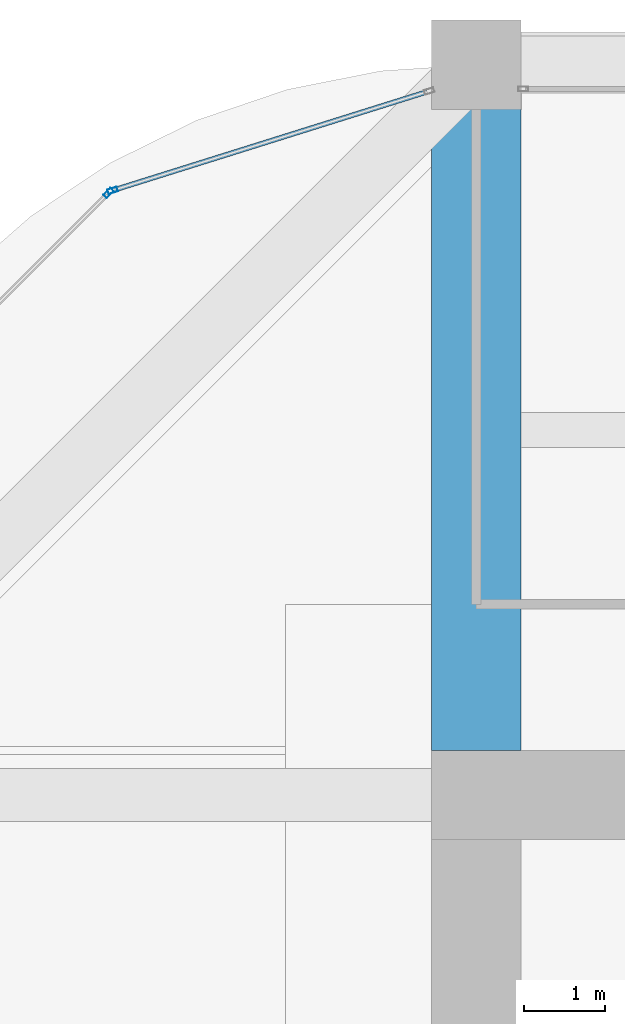
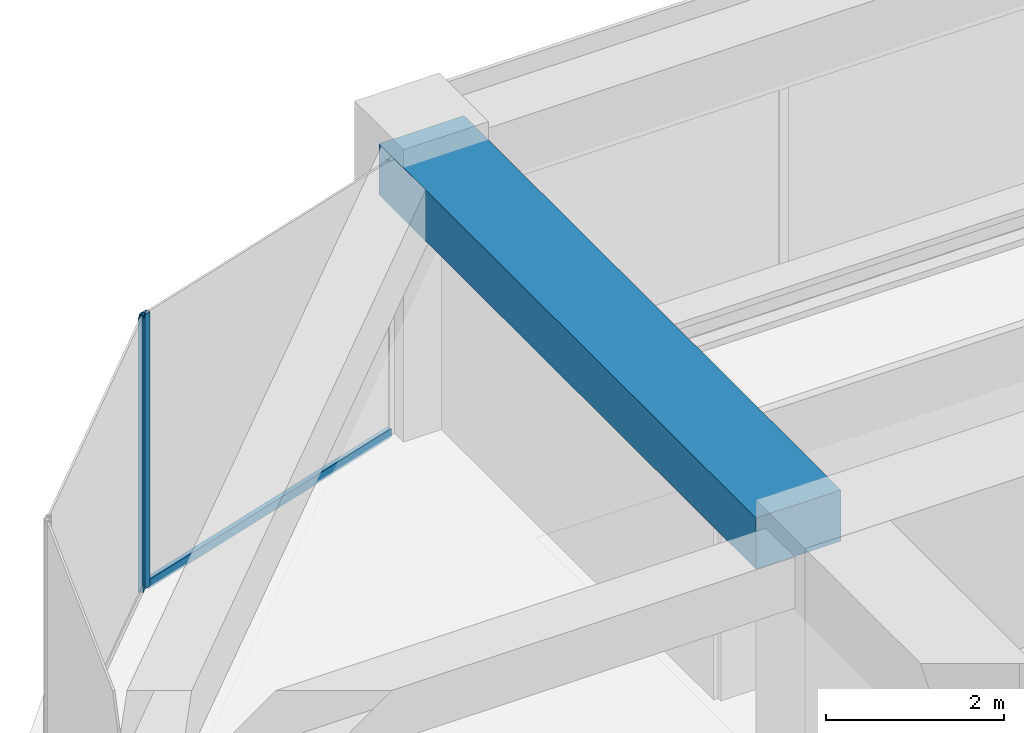
# One storey, part 30 of 44: 3 members, 1 beam, 2 elements without a shape of their own.
"""IFC4 building model written with IfcOpenShell, lengths in metres."""

from ifc_helpers import new_model, si_unit, direction, frame, origin, origin_2d, place, context, subcontext, project, spatial, rectangle, hollow_rectangle, extrude, material, material_profile, profile_set, type_object, element, aggregate, save


model = new_model("IFC4")

# Units and contexts
model_context = context("Model", 3, precision=1e-05, world=origin(), true_north=direction((0.0, 1.0)))
body_context = subcontext(model_context, "Body", "Model", "MODEL_VIEW")
ifc_project = project(units=[si_unit("LENGTHUNIT", "METRE"), si_unit("AREAUNIT", "SQUARE_METRE"), si_unit("VOLUMEUNIT", "CUBIC_METRE"), si_unit("PLANEANGLEUNIT", "RADIAN"), si_unit("MASSUNIT", "GRAM", prefix="KILO")], contexts=[model_context])

# Site, building, storey
site_placement = place(None, origin())
site = spatial("IfcSite", under=ifc_project, at=site_placement, CompositionType="ELEMENT")
building_placement = place(site_placement, origin())
building = spatial("IfcBuilding", under=site, at=building_placement, Name="Zorevar Civic Tower", CompositionType="ELEMENT")
storey_placement = place(building_placement, frame((0.0, 0.0, 255.39990234375)))
storey = spatial("IfcBuildingStorey", under=building, at=storey_placement, Name="L62", CompositionType="ELEMENT", Elevation=255.39990234375)

# Beam
ifc_material_1 = material(Name="Concrete C50/60", Category="concrete")
ifc_material_profile_1 = material_profile(ifc_material_1, rectangle(XDim=1.10009765625, YDim=0.699951171875, at=origin_2d()), Name="RC 1100x700")
ifc_profile_set_1 = profile_set([ifc_material_profile_1], Name="Concrete C50/60")
beam_type = type_object("IfcBeamType", Name="Beam RC 1100x700", PredefinedType="BEAM", material=ifc_profile_set_1)
beam_placement = place(storey_placement, frame((18.0, 36.550048828125, 3.400146484375), z_axis=(0.0, 1.0, 0.0), x_axis=(-1.0, 0.0, 0.0)))
element("IfcBeam", 1, at=beam_placement, inside=storey, type_object=beam_type, Name="Girder L63", PredefinedType="BEAM", context=body_context, shape_type="SweptSolid", body=[
    extrude(rectangle(XDim=1.10009765625, YDim=0.699951171875, at=origin_2d()), origin(), (0.0, 0.0, 1.0), 8.449951171875),
])

# Curtain wall, member
ifc_material_2 = material(Name="Dark grey solar-control glass in black aluminium frame", Category="aluminium")
curtain_wall_type = type_object("IfcCurtainWallType", Name="Curtain wall CW5 top zone", PredefinedType="NOTDEFINED", material=ifc_material_2)
curtain_wall_1_placement = place(storey_placement, origin())
curtain_wall_1 = element("IfcCurtainWall", 2, at=curtain_wall_1_placement, inside=storey, type_object=curtain_wall_type, Name="CW5 L62", PredefinedType="NOTDEFINED")
ifc_material_3 = material(Name="Aluminium, black anodised", Category="aluminium")
ifc_material_profile_2 = material_profile(ifc_material_3, hollow_rectangle(XDim=0.06005859375, YDim=0.1201171875, WallThickness=0.0029296875, at=origin_2d()), Name="AL 120x60x3")
ifc_profile_set_2 = profile_set([ifc_material_profile_2], Name="Aluminium, black anodised")
member_type_1 = type_object("IfcMemberType", Name="CW5 mullion AL 120x60x3", PredefinedType="MULLION", material=ifc_profile_set_2)
member_1_placement = place(storey_placement, frame((13.520751953125, 43.449951171875, 0.0), z_axis=(0.0, 0.0, 1.0), x_axis=(0.299317920238, -0.954153437674, 0.0)))
member_1 = element("IfcMember", 3, at=member_1_placement, type_object=member_type_1, Name="CW5 mullion 2", PredefinedType="MULLION", context=body_context, shape_type="SweptSolid", body=[
    extrude(hollow_rectangle(XDim=0.06005859375, YDim=0.1201171875, WallThickness=0.0029296875, at=origin_2d()), origin(), (0.0, 0.0, 1.0), 3.75),
])

curtain_wall_2_placement = place(storey_placement, origin())
curtain_wall_2 = element("IfcCurtainWall", 4, at=curtain_wall_2_placement, inside=storey, type_object=curtain_wall_type, Name="CW5 L62", PredefinedType="NOTDEFINED")
member_2_placement = place(storey_placement, frame((13.470947265625, 43.419677734375, 0.0), z_axis=(0.0, 0.0, 1.0), x_axis=(0.707106781187, -0.707106781187, 0.0)))
member_2 = element("IfcMember", 5, at=member_2_placement, type_object=member_type_1, Name="CW5 mullion 1", PredefinedType="MULLION", context=body_context, shape_type="SweptSolid", body=[
    extrude(hollow_rectangle(XDim=0.06005859375, YDim=0.1201171875, WallThickness=0.0029296875, at=origin_2d()), origin(), (0.0, 0.0, 1.0), 3.75),
])
aggregate(curtain_wall_2, [member_2])

# Member
ifc_material_4 = material(Name="Aluminium, black anodised", Category="aluminium")
ifc_material_profile_3 = material_profile(ifc_material_4, hollow_rectangle(XDim=0.06005859375, YDim=0.1201171875, WallThickness=0.0029296875, at=origin_2d()), Name="AL 120x60x3")
ifc_profile_set_3 = profile_set([ifc_material_profile_3], Name="Aluminium, black anodised")
member_type_2 = type_object("IfcMemberType", Name="CW5 transom AL 120x60x3", PredefinedType="USERDEFINED", material=ifc_profile_set_3)
member_3_placement = place(storey_placement, frame((17.392822265625, 44.66455078125, 0.030029296875), z_axis=(-0.954163457351, -0.299285978047, 0.0), x_axis=(0.299285978047, -0.954163457351, 0.0)))
member_3 = element("IfcMember", 6, at=member_3_placement, type_object=member_type_2, Name="CW5 sill transom", ObjectType="TRANSOM", PredefinedType="USERDEFINED", context=body_context, shape_type="SweptSolid", body=[
    extrude(hollow_rectangle(XDim=0.06005859375, YDim=0.1201171875, WallThickness=0.0029296875, at=origin_2d()), origin(), (0.0, 0.0, 1.0), 4.028076171875),
])

aggregate(curtain_wall_1, [member_1, member_3])

save(model, "model.ifc")
